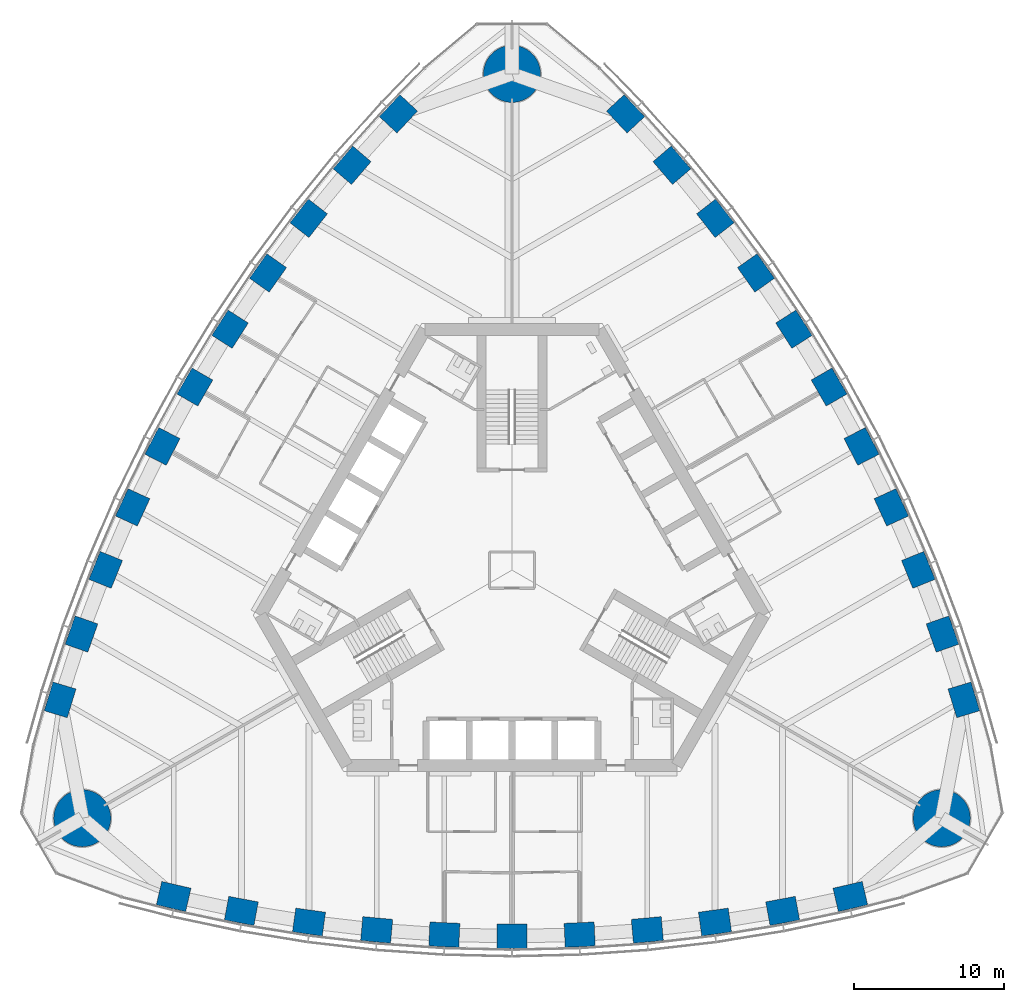
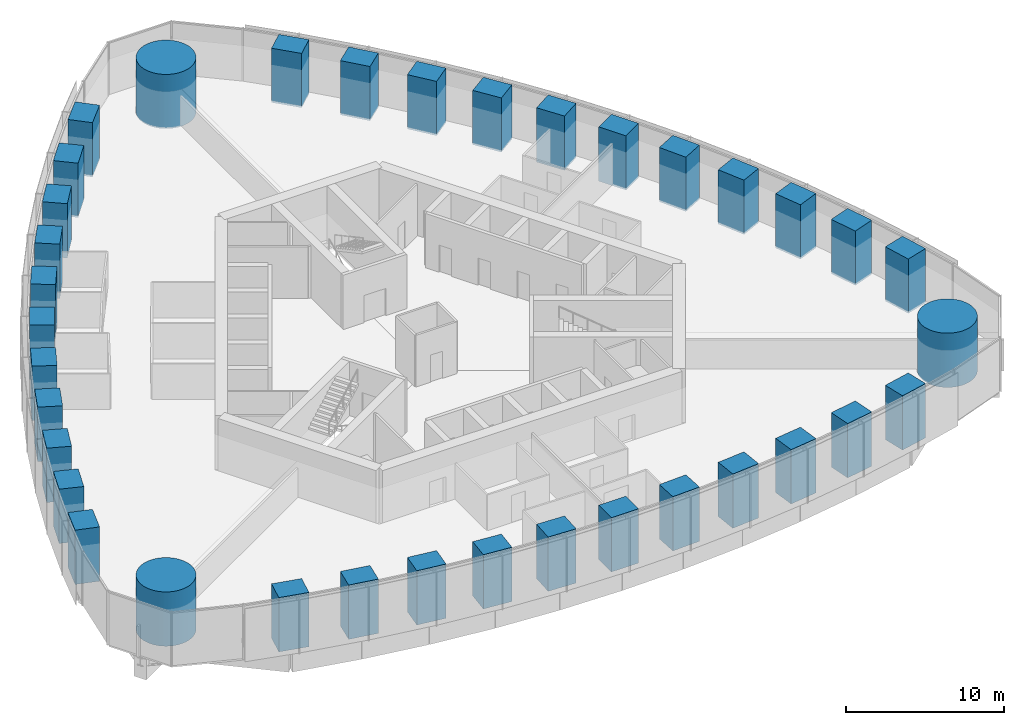
# One storey, part 1 of 18: 36 columns.
"""IFC4 building model written with IfcOpenShell, lengths in metres."""

from ifc_helpers import new_model, si_unit, direction, frame, origin, origin_2d, place, context, subcontext, project, spatial, rectangle, circle, extrude, material, material_profile, profile_set, type_object, element, save


model = new_model("IFC4")

# Units and contexts
model_context = context("Model", 3, precision=1e-05, world=origin(), true_north=direction((0.0, 1.0)))
body_context = subcontext(model_context, "Body", "Model", "MODEL_VIEW")
ifc_project = project(units=[si_unit("LENGTHUNIT", "METRE"), si_unit("AREAUNIT", "SQUARE_METRE"), si_unit("VOLUMEUNIT", "CUBIC_METRE"), si_unit("PLANEANGLEUNIT", "RADIAN"), si_unit("MASSUNIT", "GRAM", prefix="KILO")], contexts=[model_context])

# Site, building, storey
site_placement = place(None, origin())
site = spatial("IfcSite", under=ifc_project, at=site_placement, CompositionType="ELEMENT")
building_placement = place(site_placement, origin())
building = spatial("IfcBuilding", under=site, at=building_placement, Name="Trefoil Bronze Tower", CompositionType="ELEMENT")
storey_placement = place(building_placement, frame((0.0, 0.0, 202.300048828125)))
storey = spatial("IfcBuildingStorey", under=building, at=storey_placement, Name="L46", CompositionType="ELEMENT", Elevation=202.300048828125)

# Columns
ifc_material_1 = material(Name="Concrete B80", Category="concrete")
ifc_material_profile_1 = material_profile(ifc_material_1, circle(Radius=1.89990234375, at=origin_2d()), Name="RC D3800")
ifc_profile_set_1 = profile_set([ifc_material_profile_1], Name="Concrete B80")
column_type_1 = type_object("IfcColumnType", Name="Mega column RC D3800", PredefinedType="COLUMN", material=ifc_profile_set_1)
for number, where, z_axis, x_axis, name in (
    (1, (28.578857421875, -16.5, 0.0), (0.0, 0.0, 1.0), (1.0, 0.0, 0.0), "Mega column K1 L46"),
    (2, (0.0, 33.0, 0.0), (0.0, 0.0, 1.0), (1.0, 0.0, 0.0), "Mega column K2 L46"),
    (3, (-28.578857421875, -16.5, 0.0), (0.0, 0.0, 1.0), (1.0, 0.0, 0.0), "Mega column K3 L46"),
):
    element("IfcColumn", number, at=place(storey_placement, frame(where, z_axis=z_axis, x_axis=x_axis)), inside=storey, type_object=column_type_1, Name=name, PredefinedType="COLUMN", context=body_context, shape_type="SweptSolid", body=[
        extrude(circle(Radius=1.89990234375, at=origin_2d()), origin(), (0.0, 0.0, 1.0), 4.199951171875),
    ])
ifc_material_2 = material(Name="Concrete B80", Category="concrete")
ifc_material_profile_2 = material_profile(ifc_material_2, rectangle(XDim=2.0, YDim=1.60009765625, at=origin_2d()), Name="RC 2000x1600")
ifc_profile_set_2 = profile_set([ifc_material_profile_2], Name="Concrete B80")
column_type_2 = type_object("IfcColumnType", Name="Tube column RC 2000x1600", PredefinedType="COLUMN", material=ifc_profile_set_2)
for number, where, z_axis, x_axis, name in (
    (4, (-22.5, -21.71044921875, 0.0), (0.0, 0.0, 1.0), (0.973875487093, -0.227082662569, 0.0), "Tube column F1/-5 L46"),
    (5, (-18.0, -22.6689453125, 0.0), (0.0, 0.0, 1.0), (0.982958917767, -0.183825368167, 0.0), "Tube column F1/-4 L46"),
    (6, (-13.5, -23.408447265625, 0.0), (0.0, 0.0, 1.0), (0.990450627582, -0.137867887204, 0.0), "Tube column F1/-3 L46"),
    (7, (-9.0, -23.932861328125, 0.0), (0.0, 0.0, 1.0), (0.995767189263, -0.091911396394, 0.0), "Tube column F1/-2 L46"),
    (8, (-4.5, -24.246337890625, 0.0), (0.0, 0.0, 1.0), (0.998943485952, -0.045955542372, 0.0), "Tube column F1/-1 L46"),
    (9, (0.0, -24.3505859375, 0.0), (0.0, 0.0, 1.0), (1.0, 0.0, 0.0), "Tube column F1/+0 L46"),
    (10, (4.5, -24.246337890625, 0.0), (0.0, 0.0, 1.0), (0.998943485952, 0.045955542372, 0.0), "Tube column F1/+1 L46"),
    (11, (9.0, -23.932861328125, 0.0), (0.0, 0.0, 1.0), (0.995767189263, 0.091911396394, 0.0), "Tube column F1/+2 L46"),
    (12, (13.5, -23.408447265625, 0.0), (0.0, 0.0, 1.0), (0.990450627582, 0.137867887204, 0.0), "Tube column F1/+3 L46"),
    (13, (18.0, -22.6689453125, 0.0), (0.0, 0.0, 1.0), (0.982958917767, 0.183825368167, 0.0), "Tube column F1/+4 L46"),
    (14, (22.5, -21.71044921875, 0.0), (0.0, 0.0, 1.0), (0.973875487093, 0.227082662569, 0.0), "Tube column F1/+5 L46"),
    (15, (30.052001953125, -8.63037109375, 0.0), (0.0, 0.0, 1.0), (-0.290278389002, 0.95694224323, 0.0), "Tube column F2/-5 L46"),
    (16, (28.632080078125, -4.25390625, 0.0), (0.0, 0.0, 1.0), (-0.332282020191, 0.943180077746, 0.0), "Tube column F2/-4 L46"),
    (17, (27.022216796875, 0.012939453125, 0.0), (0.0, 0.0, 1.0), (-0.375828221106, 0.926689348282, 0.0), "Tube column F2/-3 L46"),
    (18, (25.2265625, 4.17236328125, 0.0), (0.0, 0.0, 1.0), (-0.418285990457, 0.908315380354, 0.0), "Tube column F2/-2 L46"),
    (19, (23.248046875, 8.22607421875, 0.0), (0.0, 0.0, 1.0), (-0.459673075837, 0.888088206965, 0.0), "Tube column F2/-1 L46"),
    (20, (21.08837890625, 12.17529296875, 0.0), (0.0, 0.0, 1.0), (-0.5, 0.866025403784, 0.0), "Tube column F2/+0 L46"),
    (21, (18.748046875, 16.020263671875, 0.0), (0.0, 0.0, 1.0), (-0.539270410114, 0.842132664593, 0.0), "Tube column F2/+1 L46"),
    (22, (16.2265625, 19.7607421875, 0.0), (0.0, 0.0, 1.0), (-0.577481198806, 0.81640398396, 0.0), "Tube column F2/+2 L46"),
    (23, (13.522216796875, 23.3955078125, 0.0), (0.0, 0.0, 1.0), (-0.614622406476, 0.788821461078, 0.0), "Tube column F2/+3 L46"),
    (24, (10.632080078125, 26.923095703125, 0.0), (0.0, 0.0, 1.0), (-0.650676897576, 0.75935470958, 0.0), "Tube column F2/+4 L46"),
    (25, (7.552001953125, 30.3408203125, 0.0), (0.0, 0.0, 1.0), (-0.683597098091, 0.729859580661, 0.0), "Tube column F2/+5 L46"),
    (26, (-7.552001953125, 30.3408203125, 0.0), (0.0, 0.0, 1.0), (-0.683597098091, -0.729859580661, 0.0), "Tube column F3/-5 L46"),
    (27, (-10.632080078125, 26.923095703125, 0.0), (0.0, 0.0, 1.0), (-0.650676897576, -0.75935470958, 0.0), "Tube column F3/-4 L46"),
    (28, (-13.522216796875, 23.3955078125, 0.0), (0.0, 0.0, 1.0), (-0.614622406476, -0.788821461078, 0.0), "Tube column F3/-3 L46"),
    (29, (-16.2265625, 19.7607421875, 0.0), (0.0, 0.0, 1.0), (-0.577481198806, -0.81640398396, 0.0), "Tube column F3/-2 L46"),
    (30, (-18.748046875, 16.020263671875, 0.0), (0.0, 0.0, 1.0), (-0.539270410114, -0.842132664593, 0.0), "Tube column F3/-1 L46"),
    (31, (-21.08837890625, 12.17529296875, 0.0), (0.0, 0.0, 1.0), (-0.5, -0.866025403784, 0.0), "Tube column F3/+0 L46"),
    (32, (-23.248046875, 8.22607421875, 0.0), (0.0, 0.0, 1.0), (-0.459673075837, -0.888088206965, 0.0), "Tube column F3/+1 L46"),
    (33, (-25.2265625, 4.17236328125, 0.0), (0.0, 0.0, 1.0), (-0.418285990457, -0.908315380354, 0.0), "Tube column F3/+2 L46"),
    (34, (-27.022216796875, 0.012939453125, 0.0), (0.0, 0.0, 1.0), (-0.375828221106, -0.926689348282, 0.0), "Tube column F3/+3 L46"),
    (35, (-28.632080078125, -4.25390625, 0.0), (0.0, 0.0, 1.0), (-0.332282020191, -0.943180077746, 0.0), "Tube column F3/+4 L46"),
    (36, (-30.052001953125, -8.63037109375, 0.0), (0.0, 0.0, 1.0), (-0.290278389002, -0.95694224323, 0.0), "Tube column F3/+5 L46"),
):
    element("IfcColumn", number, at=place(storey_placement, frame(where, z_axis=z_axis, x_axis=x_axis)), inside=storey, type_object=column_type_2, Name=name, PredefinedType="COLUMN", context=body_context, shape_type="SweptSolid", body=[
        extrude(rectangle(XDim=2.0, YDim=1.60009765625, at=origin_2d()), origin(), (0.0, 0.0, 1.0), 4.199951171875),
    ])

save(model, "model.ifc")
